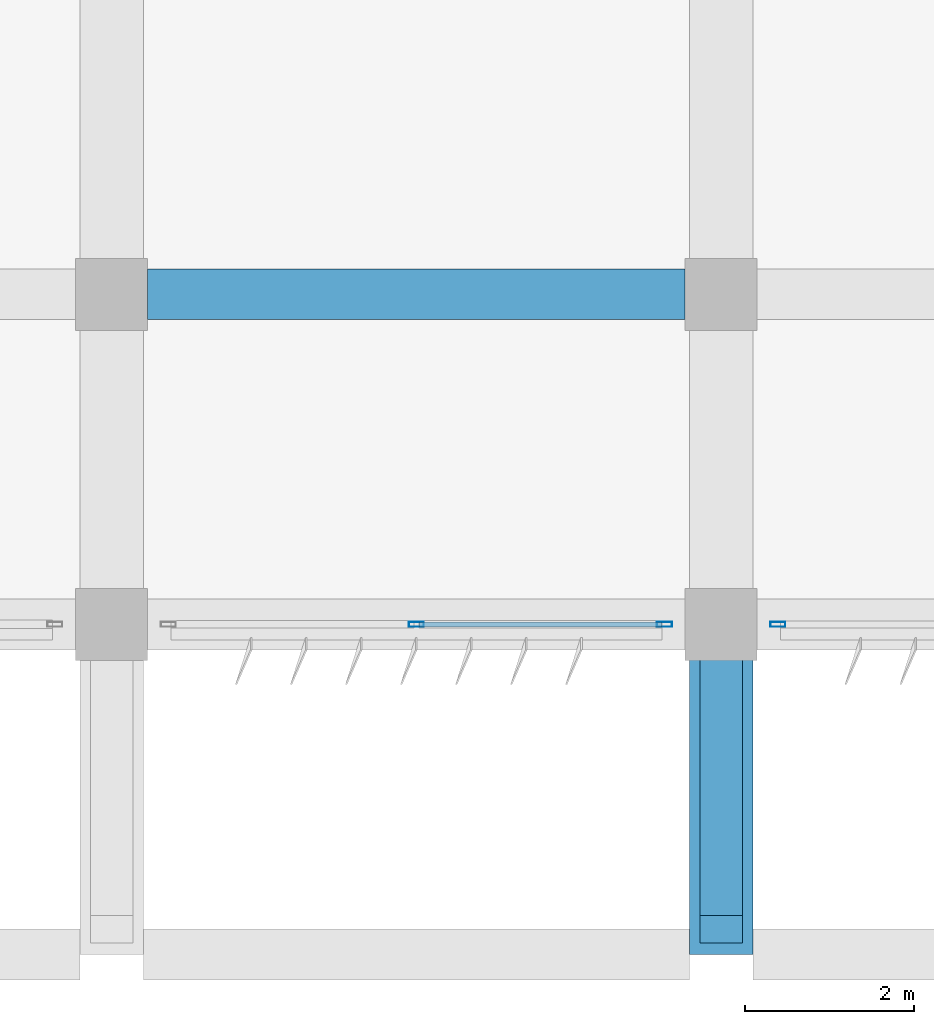
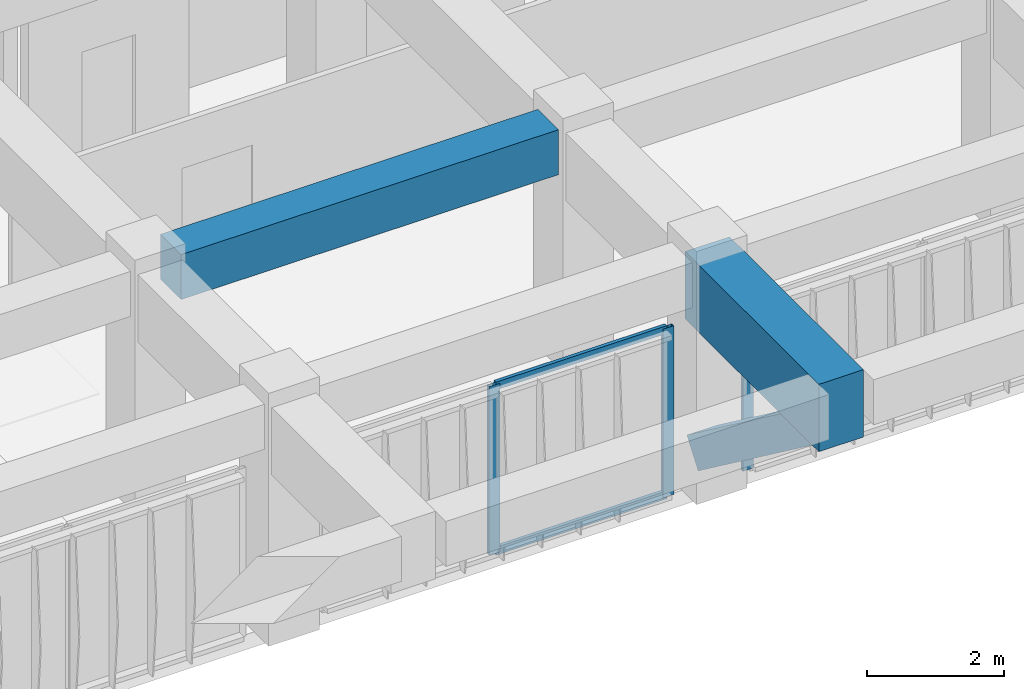
# One storey, part 6 of 56: 6 members, 2 beams, 2 elements without a shape of their own.
"""IFC4 building model written with IfcOpenShell, lengths in metres."""

from ifc_helpers import new_model, si_unit, direction, frame, origin, origin_2d, place, context, subcontext, project, spatial, rectangle, hollow_rectangle, extrude, material, material_profile, profile_set, type_object, element, aggregate, save


model = new_model("IFC4")

# Units and contexts
model_context = context("Model", 3, precision=1e-05, world=origin(), true_north=direction((0.0, 1.0)))
body_context = subcontext(model_context, "Body", "Model", "MODEL_VIEW")
ifc_project = project(units=[si_unit("LENGTHUNIT", "METRE"), si_unit("AREAUNIT", "SQUARE_METRE"), si_unit("VOLUMEUNIT", "CUBIC_METRE"), si_unit("PLANEANGLEUNIT", "RADIAN"), si_unit("MASSUNIT", "GRAM", prefix="KILO")], contexts=[model_context])

# Site, building, storey
site_placement = place(None, origin())
site = spatial("IfcSite", under=ifc_project, at=site_placement, CompositionType="ELEMENT")
building_placement = place(site_placement, origin())
building = spatial("IfcBuilding", under=site, at=building_placement, Name="Kazehaya Institute of Natural Sciences", CompositionType="ELEMENT")
storey_placement = place(building_placement, frame((0.0, 0.0, 24.300048828125)))
storey = spatial("IfcBuildingStorey", under=building, at=storey_placement, Name="L05", CompositionType="ELEMENT", Elevation=24.300048828125)

# Beams
ifc_material_1 = material(Name="Concrete Fc36", Category="concrete")
ifc_material_profile_1 = material_profile(ifc_material_1, rectangle(XDim=0.60009765625, YDim=0.800048828125, at=origin_2d()), Name="RC-600x800")
ifc_profile_set_1 = profile_set([ifc_material_profile_1], Name="Concrete Fc36")
beam_type_1 = type_object("IfcBeamType", Name="BM-G-600x800", PredefinedType="BEAM", material=ifc_profile_set_1)
beam_1_placement = place(storey_placement, frame((69.425048828125, 14.0, 3.829833984375), z_axis=(1.0, 0.0, 0.0), x_axis=(0.0, 1.0, 0.0)))
element("IfcBeam", 1, at=beam_1_placement, inside=storey, type_object=beam_type_1, Name="L05 primary X girder BMX-L05-690-140", PredefinedType="BEAM", context=body_context, shape_type="SweptSolid", body=[
    extrude(rectangle(XDim=0.60009765625, YDim=0.800048828125, at=origin_2d()), origin(), (0.0, 0.0, 1.0), 6.349853515625),
])
ifc_material_2 = material(Name="Concrete Fc42", Category="concrete")
ifc_material_profile_2 = material_profile(ifc_material_2, rectangle(XDim=0.75, YDim=1.199951171875, at=origin_2d()), Name="RC-750x1200")
ifc_profile_set_2 = profile_set([ifc_material_profile_2], Name="Concrete Fc42")
beam_type_2 = type_object("IfcBeamType", Name="BM-TG-750x1200", PredefinedType="BEAM", material=ifc_profile_set_2)
beam_2_placement = place(storey_placement, frame((76.199951171875, 6.199951171875, 3.6298828125), z_axis=(0.0, 1.0, 0.0), x_axis=(-1.0, 0.0, 0.0)))
element("IfcBeam", 2, at=beam_2_placement, inside=storey, type_object=beam_type_2, Name="L05 cantilever transfer girder 1725", PredefinedType="BEAM", context=body_context, shape_type="SweptSolid", body=[
    extrude(rectangle(XDim=0.75, YDim=1.199951171875, at=origin_2d()), origin(), (0.0, 0.0, 1.0), 3.900146484375),
])

# Curtain wall, member
ifc_material_3 = material(Name="Aluminium alloy A6063S-T5", Category="aluminium")
curtain_wall_type = type_object("IfcCurtainWallType", Name="CW-SYS-04", PredefinedType="NOTDEFINED", material=ifc_material_3)
curtain_wall_1_placement = place(storey_placement, origin())
curtain_wall_1 = element("IfcCurtainWall", 3, at=curtain_wall_1_placement, inside=storey, type_object=curtain_wall_type, Name="L05 unitised curtain wall CW-L05-099", PredefinedType="NOTDEFINED")
ifc_material_profile_3 = material_profile(ifc_material_3, hollow_rectangle(XDim=0.06005859375, YDim=0.179931640625, WallThickness=0.00390625, at=origin_2d()), Name="ALU-60x180x4")
ifc_profile_set_3 = profile_set([ifc_material_profile_3], Name="Aluminium alloy A6063S-T5")
member_type_1 = type_object("IfcMemberType", Name="CWM-180", PredefinedType="MULLION", material=ifc_profile_set_3)
member_1_placement = place(storey_placement, frame((76.8701171875, 10.10009765625, 0.0), z_axis=(0.0, 0.0, 1.0), x_axis=(0.0, -1.0, 0.0)))
member_1 = element("IfcMember", 4, at=member_1_placement, type_object=member_type_1, Name="CW04 mullion 3", PredefinedType="MULLION", context=body_context, shape_type="SweptSolid", body=[
    extrude(hollow_rectangle(XDim=0.06005859375, YDim=0.179931640625, WallThickness=0.00390625, at=origin_2d()), origin(), (0.0, 0.0, 1.0), 3.0),
])
aggregate(curtain_wall_1, [member_1])

# Curtain wall, members
curtain_wall_2_placement = place(storey_placement, origin())
curtain_wall_2 = element("IfcCurtainWall", 5, at=curtain_wall_2_placement, inside=storey, type_object=curtain_wall_type, Name="L05 unitised curtain wall CW-L05-100", PredefinedType="NOTDEFINED")
member_2_placement = place(storey_placement, frame((75.530029296875, 10.10009765625, 0.0), z_axis=(0.0, 0.0, 1.0), x_axis=(0.0, -1.0, 0.0)))
member_2 = element("IfcMember", 6, at=member_2_placement, type_object=member_type_1, Name="CW04 mullion 1", PredefinedType="MULLION", context=body_context, shape_type="SweptSolid", body=[
    extrude(hollow_rectangle(XDim=0.06005859375, YDim=0.179931640625, WallThickness=0.00390625, at=origin_2d()), origin(), (0.0, 0.0, 1.0), 3.0),
])
member_3_placement = place(storey_placement, frame((72.60009765625, 10.10009765625, 0.0), z_axis=(0.0, 0.0, 1.0), x_axis=(0.0, -1.0, 0.0)))
member_3 = element("IfcMember", 7, at=member_3_placement, type_object=member_type_1, Name="CW04 mullion 2", PredefinedType="MULLION", context=body_context, shape_type="SweptSolid", body=[
    extrude(hollow_rectangle(XDim=0.06005859375, YDim=0.179931640625, WallThickness=0.00390625, at=origin_2d()), origin(), (0.0, 0.0, 1.0), 3.0),
])
ifc_material_profile_4 = material_profile(ifc_material_3, hollow_rectangle(XDim=0.06005859375, YDim=0.139892578125, WallThickness=0.00341796875, at=origin_2d()), Name="ALU-60x140x3.5")
ifc_profile_set_4 = profile_set([ifc_material_profile_4], Name="Aluminium alloy A6063S-T5")
member_type_2 = type_object("IfcMemberType", Name="CWT-140", PredefinedType="USERDEFINED", material=ifc_profile_set_4)
member_4_placement = place(storey_placement, frame((75.5, 10.10009765625, 0.030029296875), z_axis=(-1.0, 0.0, 0.0), x_axis=(0.0, -1.0, 0.0)))
member_4 = element("IfcMember", 8, at=member_4_placement, type_object=member_type_2, Name="CW04 transom 1.1", ObjectType="TRANSOM", PredefinedType="USERDEFINED", context=body_context, shape_type="SweptSolid", body=[
    extrude(hollow_rectangle(XDim=0.06005859375, YDim=0.139892578125, WallThickness=0.00341796875, at=origin_2d()), origin(), (0.0, 0.0, 1.0), 2.8701171875),
])
member_5_placement = place(storey_placement, frame((75.5, 10.10009765625, 2.969970703125), z_axis=(-1.0, 0.0, 0.0), x_axis=(0.0, -1.0, 0.0)))
member_5 = element("IfcMember", 9, at=member_5_placement, type_object=member_type_2, Name="CW04 transom 1.2", ObjectType="TRANSOM", PredefinedType="USERDEFINED", context=body_context, shape_type="SweptSolid", body=[
    extrude(hollow_rectangle(XDim=0.06005859375, YDim=0.139892578125, WallThickness=0.00341796875, at=origin_2d()), origin(), (0.0, 0.0, 1.0), 2.8701171875),
])
aggregate(curtain_wall_2, [member_2, member_3, member_4, member_5])

# Member
ifc_material_profile_5 = material_profile(ifc_material_2, rectangle(XDim=0.5, YDim=0.550048828125, at=origin_2d()), Name="RC-500x550")
ifc_profile_set_5 = profile_set([ifc_material_profile_5], Name="Concrete Fc42")
member_type_3 = type_object("IfcMemberType", Name="MEM-STRUT-RC500", PredefinedType="BRACE", material=ifc_profile_set_5)
member_6_placement = place(storey_placement, frame((76.199951171875, 10.10009765625, 0.599853515625), z_axis=(0.0, -0.802122938841, 0.597158932768), x_axis=(1.0, 0.0, 0.0)))
element("IfcMember", 10, at=member_6_placement, inside=storey, type_object=member_type_3, Name="L05 raked cantilever strut 014", PredefinedType="BRACE", context=body_context, shape_type="SweptSolid", body=[
    extrude(rectangle(XDim=0.5, YDim=0.550048828125, at=origin_2d()), origin(), (0.0, 0.0, 1.0), 4.48828125),
])

save(model, "model.ifc")
